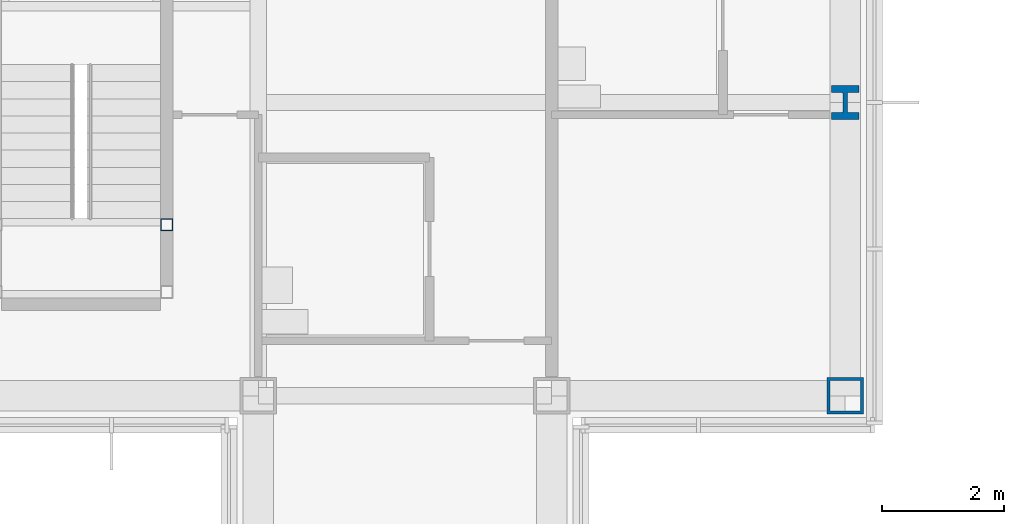
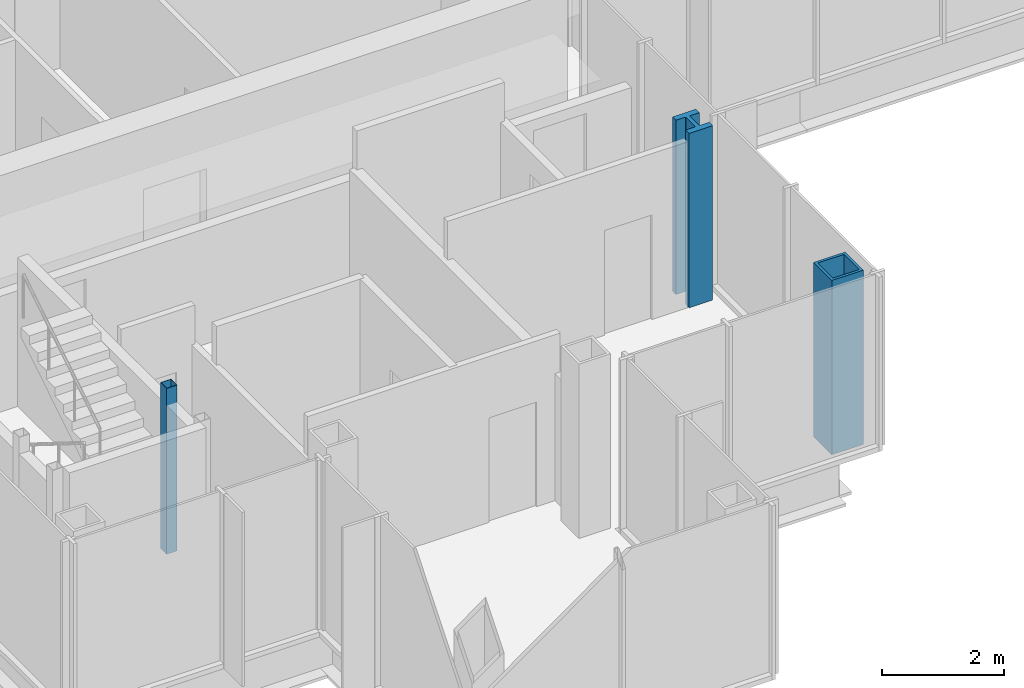
# One storey, part 2 of 15: 3 columns.
"""IFC4 building model written with IfcOpenShell, lengths in metres."""

from ifc_helpers import new_model, si_unit, direction, frame, origin, origin_2d, place, context, subcontext, project, spatial, hollow_rectangle, i_section, extrude, material, material_profile, profile_set, type_object, element, save


model = new_model("IFC4")

# Units and contexts
model_context = context("Model", 3, precision=1e-05, world=origin(), true_north=direction((0.0, 1.0)))
body_context = subcontext(model_context, "Body", "Model", "MODEL_VIEW")
ifc_project = project(units=[si_unit("LENGTHUNIT", "METRE"), si_unit("AREAUNIT", "SQUARE_METRE"), si_unit("VOLUMEUNIT", "CUBIC_METRE"), si_unit("PLANEANGLEUNIT", "RADIAN"), si_unit("MASSUNIT", "GRAM", prefix="KILO")], contexts=[model_context])

# Site, building, storey
site_placement = place(None, origin())
site = spatial("IfcSite", under=ifc_project, at=site_placement, CompositionType="ELEMENT")
building_placement = place(site_placement, origin())
building = spatial("IfcBuilding", under=site, at=building_placement, Name="Kvirike Care Tower", CompositionType="ELEMENT")
storey_placement = place(building_placement, frame((0.0, 0.0, 226.0)))
storey = spatial("IfcBuildingStorey", under=building, at=storey_placement, Name="L62", CompositionType="ELEMENT", Elevation=226.0)

# Columns
ifc_material_1 = material(Name="Steel S460", Category="steel")
ifc_material_profile_1 = material_profile(ifc_material_1, hollow_rectangle(XDim=0.60009765625, YDim=0.60009765625, WallThickness=0.050048828125, at=origin_2d()), Name="BX 600x600x50")
ifc_profile_set_1 = profile_set([ifc_material_profile_1], Name="Steel S460")
column_type_1 = type_object("IfcColumnType", Name="COLUMN BX 600x600x50", PredefinedType="COLUMN", material=ifc_profile_set_1)
column_1_placement = place(storey_placement, frame((28.800048828125, 19.199951171875, 0.0), z_axis=(0.0, 0.0, 1.0), x_axis=(0.0, 1.0, 0.0)))
element("IfcColumn", 1, at=column_1_placement, inside=storey, type_object=column_type_1, Name="Column E9 L62", PredefinedType="COLUMN", context=body_context, shape_type="SweptSolid", body=[
    extrude(hollow_rectangle(XDim=0.60009765625, YDim=0.60009765625, WallThickness=0.050048828125, at=origin_2d()), origin(), (0.0, 0.0, 1.0), 3.5),
])
ifc_material_2 = material(Name="Steel S460", Category="steel")
ifc_material_profile_2 = material_profile(ifc_material_2, i_section(OverallWidth=0.447998046875, OverallDepth=0.550048828125, WebThickness=0.072021484375, FlangeThickness=0.114990234375, FilletRadius=0.014892578125, at=origin_2d()), Name="HD 400x990")
ifc_profile_set_2 = profile_set([ifc_material_profile_2], Name="Steel S460")
column_type_2 = type_object("IfcColumnType", Name="COLUMN HD 400x990", PredefinedType="COLUMN", material=ifc_profile_set_2)
column_2_placement = place(storey_placement, frame((28.800048828125, 24.0, 0.0), z_axis=(0.0, 0.0, 1.0), x_axis=(1.0, 0.0, 0.0)))
element("IfcColumn", 2, at=column_2_placement, inside=storey, type_object=column_type_2, Name="Column F9 L62", PredefinedType="COLUMN", context=body_context, shape_type="SweptSolid", body=[
    extrude(i_section(OverallWidth=0.447998046875, OverallDepth=0.550048828125, WebThickness=0.072021484375, FlangeThickness=0.114990234375, FilletRadius=0.014892578125, at=origin_2d()), origin(), (0.0, 0.0, 1.0), 3.5),
])
ifc_material_3 = material(Name="Steel S460", Category="steel")
ifc_material_profile_3 = material_profile(ifc_material_3, hollow_rectangle(XDim=0.199951171875, YDim=0.199951171875, WallThickness=0.008056640625, at=origin_2d()), Name="SHS 200x200x8")
ifc_profile_set_3 = profile_set([ifc_material_profile_3], Name="Steel S460")
column_type_3 = type_object("IfcColumnType", Name="STAIR POST SHS 200x200x8", PredefinedType="COLUMN", material=ifc_profile_set_3)
column_3_placement = place(storey_placement, frame((17.699951171875, 22.0, 0.0), z_axis=(0.0, 0.0, 1.0), x_axis=(1.0, 0.0, 0.0)))
element("IfcColumn", 3, at=column_3_placement, inside=storey, type_object=column_type_3, Name="Stair 5 post 4 L62", PredefinedType="COLUMN", context=body_context, shape_type="SweptSolid", body=[
    extrude(hollow_rectangle(XDim=0.199951171875, YDim=0.199951171875, WallThickness=0.008056640625, at=origin_2d()), origin(), (0.0, 0.0, 1.0), 3.330078125),
])

save(model, "model.ifc")
